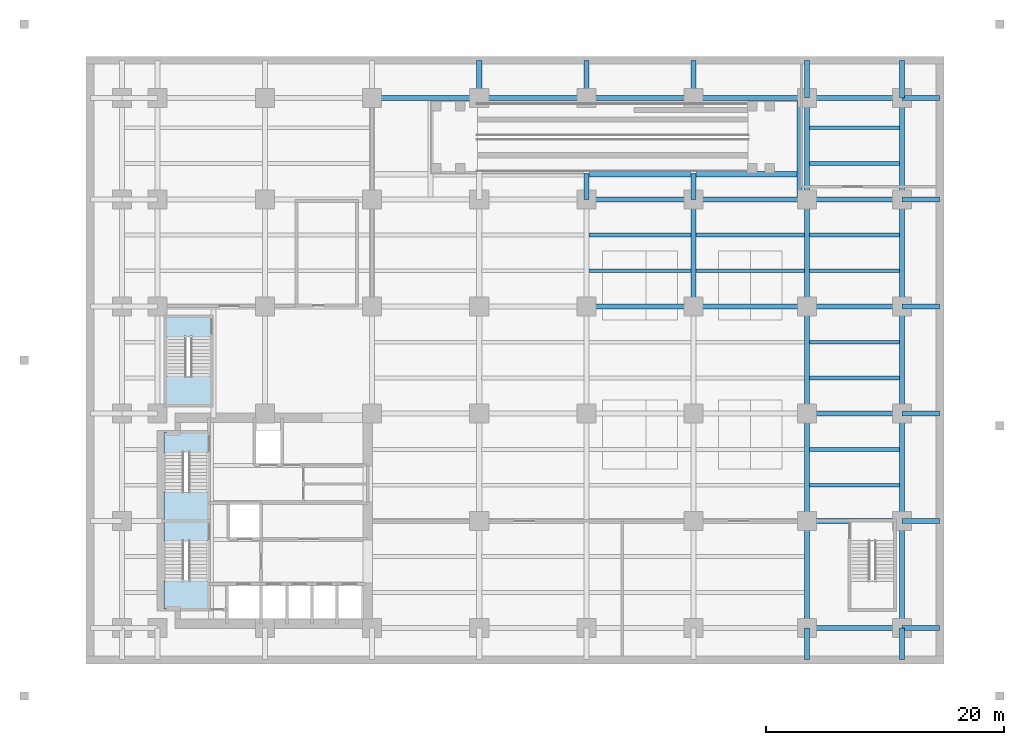
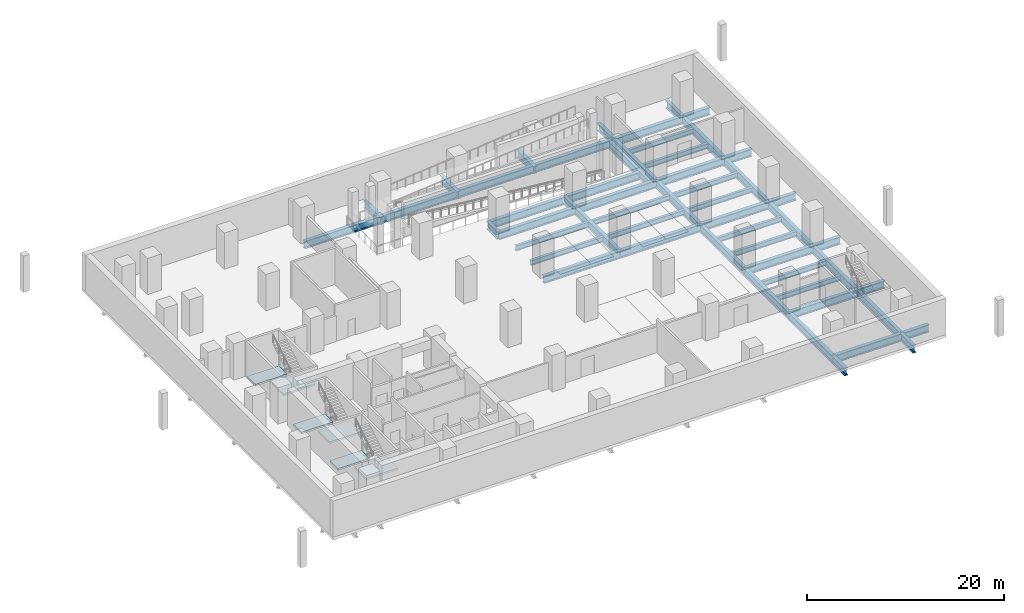
# One storey, part 3 of 10: 55 beams, 6 slabs, 3 elements without a shape of their own.
"""IFC4 building model written with IfcOpenShell, lengths in metres."""

from ifc_helpers import new_model, si_unit, direction, frame, origin, origin_2d, place, context, subcontext, project, spatial, polyline, i_section, outline, extrude, material, layer, layer_set, material_profile, profile_set, type_object, element, aggregate, save


model = new_model("IFC4")

# Units and contexts
model_context = context("Model", 3, precision=1e-05, world=origin(), true_north=direction((0.0, 1.0)))
body_context = subcontext(model_context, "Body", "Model", "MODEL_VIEW")
ifc_project = project(units=[si_unit("LENGTHUNIT", "METRE"), si_unit("AREAUNIT", "SQUARE_METRE"), si_unit("VOLUMEUNIT", "CUBIC_METRE"), si_unit("PLANEANGLEUNIT", "RADIAN"), si_unit("MASSUNIT", "GRAM", prefix="KILO")], contexts=[model_context])

# Site, building, storey
site_placement = place(None, origin())
site = spatial("IfcSite", under=ifc_project, at=site_placement, CompositionType="ELEMENT")
building_placement = place(site_placement, origin())
building = spatial("IfcBuilding", under=site, at=building_placement, Name="Mawjdan Bourse Tower", CompositionType="ELEMENT")
storey_placement = place(building_placement, frame((0.0, 0.0, -9.0)))
storey = spatial("IfcBuildingStorey", under=building, at=storey_placement, Name="B02", CompositionType="ELEMENT", Elevation=-9.0)

# Beams
ifc_material_1 = material(Name="Structural Steel S460", Category="steel")
ifc_material_profile_1 = material_profile(ifc_material_1, i_section(OverallWidth=0.423095703125, OverallDepth=0.93994140625, WebThickness=0.02392578125, FlangeThickness=0.042724609375, FilletRadius=0.0341796875, at=origin_2d()), Name="W36X302")
ifc_profile_set_1 = profile_set([ifc_material_profile_1], Name="Structural Steel S460")
beam_type_1 = type_object("IfcBeamType", Name="GRD-W36X302", PredefinedType="BEAM", material=ifc_profile_set_1)
beam_1_placement = place(storey_placement, frame((42.20947265625, 41.10009765625, -0.820068359375), z_axis=(1.0, 0.0, 0.0), x_axis=(0.0, 1.0, 0.0)))
element("IfcBeam", 1, at=beam_1_placement, inside=storey, type_object=beam_type_1, Name="B02 Ramp Opening South Trimmer S3", PredefinedType="BEAM", context=body_context, shape_type="SweptSolid", body=[
    extrude(i_section(OverallWidth=0.423095703125, OverallDepth=0.93994140625, WebThickness=0.02392578125, FlangeThickness=0.042724609375, FilletRadius=0.0341796875, at=origin_2d()), origin(), (0.0, 0.0, 1.0), 8.5810546875),
])
beam_2_placement = place(storey_placement, frame((51.20947265625, 41.10009765625, -0.820068359375), z_axis=(1.0, 0.0, 0.0), x_axis=(0.0, 1.0, 0.0)))
element("IfcBeam", 2, at=beam_2_placement, inside=storey, type_object=beam_type_1, Name="B02 Ramp Opening South Trimmer S4", PredefinedType="BEAM", context=body_context, shape_type="SweptSolid", body=[
    extrude(i_section(OverallWidth=0.423095703125, OverallDepth=0.93994140625, WebThickness=0.02392578125, FlangeThickness=0.042724609375, FilletRadius=0.0341796875, at=origin_2d()), origin(), (0.0, 0.0, 1.0), 8.4609375),
])
beam_3_placement = place(storey_placement, frame((59.8798828125, 39.20947265625, -0.820068359375), z_axis=(0.0, 1.0, 0.0), x_axis=(-1.0, 0.0, 0.0)))
element("IfcBeam", 3, at=beam_3_placement, inside=storey, type_object=beam_type_1, Name="B02 Ramp Opening East Trimmer 004", PredefinedType="BEAM", context=body_context, shape_type="SweptSolid", body=[
    extrude(i_section(OverallWidth=0.423095703125, OverallDepth=0.93994140625, WebThickness=0.02392578125, FlangeThickness=0.042724609375, FilletRadius=0.0341796875, at=origin_2d()), origin(), (0.0, 0.0, 1.0), 8.0810546875),
])
beam_4_placement = place(storey_placement, frame((33.0, 47.199951171875, -0.820068359375), z_axis=(0.0, 1.0, 0.0), x_axis=(-1.0, 0.0, 0.0)))
element("IfcBeam", 4, at=beam_4_placement, inside=storey, type_object=beam_type_1, Name="B02 Podium Primary Girder 034", PredefinedType="BEAM", context=body_context, shape_type="SweptSolid", body=[
    extrude(i_section(OverallWidth=0.423095703125, OverallDepth=0.93994140625, WebThickness=0.02392578125, FlangeThickness=0.042724609375, FilletRadius=0.0341796875, at=origin_2d()), origin(), (0.0, 0.0, 1.0), 3.449951171875),
])
beam_5_placement = place(storey_placement, frame((42.0, 39.0, -0.820068359375), z_axis=(0.0, 1.0, 0.0), x_axis=(-1.0, 0.0, 0.0)))
element("IfcBeam", 5, at=beam_5_placement, inside=storey, type_object=beam_type_1, Name="B02 Podium Primary Girder 039", PredefinedType="BEAM", context=body_context, shape_type="SweptSolid", body=[
    extrude(i_section(OverallWidth=0.423095703125, OverallDepth=0.93994140625, WebThickness=0.02392578125, FlangeThickness=0.042724609375, FilletRadius=0.0341796875, at=origin_2d()), origin(), (0.0, 0.0, 1.0), 2.199951171875),
])
beam_6_placement = place(storey_placement, frame((42.0, 47.199951171875, -0.820068359375), z_axis=(0.0, 1.0, 0.0), x_axis=(-1.0, 0.0, 0.0)))
element("IfcBeam", 6, at=beam_6_placement, inside=storey, type_object=beam_type_1, Name="B02 Podium Primary Girder 040", PredefinedType="BEAM", context=body_context, shape_type="SweptSolid", body=[
    extrude(i_section(OverallWidth=0.423095703125, OverallDepth=0.93994140625, WebThickness=0.02392578125, FlangeThickness=0.042724609375, FilletRadius=0.0341796875, at=origin_2d()), origin(), (0.0, 0.0, 1.0), 3.449951171875),
])
beam_7_placement = place(storey_placement, frame((51.0, 30.0, -0.820068359375), z_axis=(0.0, 1.0, 0.0), x_axis=(-1.0, 0.0, 0.0)))
element("IfcBeam", 7, at=beam_7_placement, inside=storey, type_object=beam_type_1, Name="B02 Podium Primary Girder 045", PredefinedType="BEAM", context=body_context, shape_type="SweptSolid", body=[
    extrude(i_section(OverallWidth=0.423095703125, OverallDepth=0.93994140625, WebThickness=0.02392578125, FlangeThickness=0.042724609375, FilletRadius=0.0341796875, at=origin_2d()), origin(), (0.0, 0.0, 1.0), 9.0),
])
beam_8_placement = place(storey_placement, frame((51.0, 39.0, -0.820068359375), z_axis=(0.0, 1.0, 0.0), x_axis=(-1.0, 0.0, 0.0)))
element("IfcBeam", 8, at=beam_8_placement, inside=storey, type_object=beam_type_1, Name="B02 Podium Primary Girder 046", PredefinedType="BEAM", context=body_context, shape_type="SweptSolid", body=[
    extrude(i_section(OverallWidth=0.423095703125, OverallDepth=0.93994140625, WebThickness=0.02392578125, FlangeThickness=0.042724609375, FilletRadius=0.0341796875, at=origin_2d()), origin(), (0.0, 0.0, 1.0), 2.199951171875),
])
beam_9_placement = place(storey_placement, frame((51.0, 47.199951171875, -0.820068359375), z_axis=(0.0, 1.0, 0.0), x_axis=(-1.0, 0.0, 0.0)))
element("IfcBeam", 9, at=beam_9_placement, inside=storey, type_object=beam_type_1, Name="B02 Podium Primary Girder 047", PredefinedType="BEAM", context=body_context, shape_type="SweptSolid", body=[
    extrude(i_section(OverallWidth=0.423095703125, OverallDepth=0.93994140625, WebThickness=0.02392578125, FlangeThickness=0.042724609375, FilletRadius=0.0341796875, at=origin_2d()), origin(), (0.0, 0.0, 1.0), 3.449951171875),
])
beam_10_placement = place(storey_placement, frame((60.5, 0.35009765625, -0.820068359375), z_axis=(0.0, 1.0, 0.0), x_axis=(-1.0, 0.0, 0.0)))
element("IfcBeam", 10, at=beam_10_placement, inside=storey, type_object=beam_type_1, Name="B02 Podium Primary Girder 048", PredefinedType="BEAM", context=body_context, shape_type="SweptSolid", body=[
    extrude(i_section(OverallWidth=0.423095703125, OverallDepth=0.93994140625, WebThickness=0.02392578125, FlangeThickness=0.042724609375, FilletRadius=0.0341796875, at=origin_2d()), origin(), (0.0, 0.0, 1.0), 2.64990234375),
])
for number, where, z_axis, x_axis, name in (
    (11, (60.5, 3.0, -0.820068359375), (0.0, 1.0, 0.0), (-1.0, 0.0, 0.0), "B02 Podium Primary Girder 049"),
    (12, (60.5, 12.0, -0.820068359375), (0.0, 1.0, 0.0), (-1.0, 0.0, 0.0), "B02 Podium Primary Girder 050"),
    (13, (60.5, 21.0, -0.820068359375), (0.0, 1.0, 0.0), (-1.0, 0.0, 0.0), "B02 Podium Primary Girder 051"),
    (14, (60.5, 30.0, -0.820068359375), (0.0, 1.0, 0.0), (-1.0, 0.0, 0.0), "B02 Podium Primary Girder 052"),
):
    element("IfcBeam", number, at=place(storey_placement, frame(where, z_axis=z_axis, x_axis=x_axis)), inside=storey, type_object=beam_type_1, Name=name, PredefinedType="BEAM", context=body_context, shape_type="SweptSolid", body=[
        extrude(i_section(OverallWidth=0.423095703125, OverallDepth=0.93994140625, WebThickness=0.02392578125, FlangeThickness=0.042724609375, FilletRadius=0.0341796875, at=origin_2d()), origin(), (0.0, 0.0, 1.0), 9.0),
    ])
beam_11_placement = place(storey_placement, frame((60.5, 39.0, -0.820068359375), z_axis=(0.0, 1.0, 0.0), x_axis=(-1.0, 0.0, 0.0)))
element("IfcBeam", 15, at=beam_11_placement, inside=storey, type_object=beam_type_1, Name="B02 Podium Primary Girder 053", PredefinedType="BEAM", context=body_context, shape_type="SweptSolid", body=[
    extrude(i_section(OverallWidth=0.423095703125, OverallDepth=0.93994140625, WebThickness=0.02392578125, FlangeThickness=0.042724609375, FilletRadius=0.0341796875, at=origin_2d()), origin(), (0.0, 0.0, 1.0), 8.5),
])
beam_12_placement = place(storey_placement, frame((60.5, 47.5, -0.820068359375), z_axis=(0.0, 1.0, 0.0), x_axis=(-1.0, 0.0, 0.0)))
element("IfcBeam", 16, at=beam_12_placement, inside=storey, type_object=beam_type_1, Name="B02 Podium Primary Girder 054", PredefinedType="BEAM", context=body_context, shape_type="SweptSolid", body=[
    extrude(i_section(OverallWidth=0.423095703125, OverallDepth=0.93994140625, WebThickness=0.02392578125, FlangeThickness=0.042724609375, FilletRadius=0.0341796875, at=origin_2d()), origin(), (0.0, 0.0, 1.0), 3.14990234375),
])
beam_13_placement = place(storey_placement, frame((68.5, 0.35009765625, -0.820068359375), z_axis=(0.0, 1.0, 0.0), x_axis=(-1.0, 0.0, 0.0)))
element("IfcBeam", 17, at=beam_13_placement, inside=storey, type_object=beam_type_1, Name="B02 Podium Primary Girder 055", PredefinedType="BEAM", context=body_context, shape_type="SweptSolid", body=[
    extrude(i_section(OverallWidth=0.423095703125, OverallDepth=0.93994140625, WebThickness=0.02392578125, FlangeThickness=0.042724609375, FilletRadius=0.0341796875, at=origin_2d()), origin(), (0.0, 0.0, 1.0), 2.64990234375),
])
for number, where, z_axis, x_axis, name in (
    (18, (68.5, 3.0, -0.820068359375), (0.0, 1.0, 0.0), (-1.0, 0.0, 0.0), "B02 Podium Primary Girder 056"),
    (19, (68.5, 12.0, -0.820068359375), (0.0, 1.0, 0.0), (-1.0, 0.0, 0.0), "B02 Podium Primary Girder 057"),
    (20, (68.5, 21.0, -0.820068359375), (0.0, 1.0, 0.0), (-1.0, 0.0, 0.0), "B02 Podium Primary Girder 058"),
    (21, (68.5, 30.0, -0.820068359375), (0.0, 1.0, 0.0), (-1.0, 0.0, 0.0), "B02 Podium Primary Girder 059"),
):
    element("IfcBeam", number, at=place(storey_placement, frame(where, z_axis=z_axis, x_axis=x_axis)), inside=storey, type_object=beam_type_1, Name=name, PredefinedType="BEAM", context=body_context, shape_type="SweptSolid", body=[
        extrude(i_section(OverallWidth=0.423095703125, OverallDepth=0.93994140625, WebThickness=0.02392578125, FlangeThickness=0.042724609375, FilletRadius=0.0341796875, at=origin_2d()), origin(), (0.0, 0.0, 1.0), 9.0),
    ])
beam_14_placement = place(storey_placement, frame((68.5, 39.0, -0.820068359375), z_axis=(0.0, 1.0, 0.0), x_axis=(-1.0, 0.0, 0.0)))
element("IfcBeam", 22, at=beam_14_placement, inside=storey, type_object=beam_type_1, Name="B02 Podium Primary Girder 060", PredefinedType="BEAM", context=body_context, shape_type="SweptSolid", body=[
    extrude(i_section(OverallWidth=0.423095703125, OverallDepth=0.93994140625, WebThickness=0.02392578125, FlangeThickness=0.042724609375, FilletRadius=0.0341796875, at=origin_2d()), origin(), (0.0, 0.0, 1.0), 8.5),
])
beam_15_placement = place(storey_placement, frame((68.5, 47.5, -0.820068359375), z_axis=(0.0, 1.0, 0.0), x_axis=(-1.0, 0.0, 0.0)))
element("IfcBeam", 23, at=beam_15_placement, inside=storey, type_object=beam_type_1, Name="B02 Podium Primary Girder 061", PredefinedType="BEAM", context=body_context, shape_type="SweptSolid", body=[
    extrude(i_section(OverallWidth=0.423095703125, OverallDepth=0.93994140625, WebThickness=0.02392578125, FlangeThickness=0.042724609375, FilletRadius=0.0341796875, at=origin_2d()), origin(), (0.0, 0.0, 1.0), 3.14990234375),
])
beam_16_placement = place(storey_placement, frame((60.5, 3.0, -0.820068359375), z_axis=(1.0, 0.0, 0.0), x_axis=(0.0, 1.0, 0.0)))
element("IfcBeam", 24, at=beam_16_placement, inside=storey, type_object=beam_type_1, Name="B02 Podium Tie Girder 068", PredefinedType="BEAM", context=body_context, shape_type="SweptSolid", body=[
    extrude(i_section(OverallWidth=0.423095703125, OverallDepth=0.93994140625, WebThickness=0.02392578125, FlangeThickness=0.042724609375, FilletRadius=0.0341796875, at=origin_2d()), origin(), (0.0, 0.0, 1.0), 8.0),
])
beam_17_placement = place(storey_placement, frame((68.5, 3.0, -0.820068359375), z_axis=(1.0, 0.0, 0.0), x_axis=(0.0, 1.0, 0.0)))
element("IfcBeam", 25, at=beam_17_placement, inside=storey, type_object=beam_type_1, Name="B02 Podium Tie Girder 069", PredefinedType="BEAM", context=body_context, shape_type="SweptSolid", body=[
    extrude(i_section(OverallWidth=0.423095703125, OverallDepth=0.93994140625, WebThickness=0.02392578125, FlangeThickness=0.042724609375, FilletRadius=0.0341796875, at=origin_2d()), origin(), (0.0, 0.0, 1.0), 3.14990234375),
])
beam_18_placement = place(storey_placement, frame((60.5, 12.0, -0.820068359375), z_axis=(1.0, 0.0, 0.0), x_axis=(0.0, 1.0, 0.0)))
element("IfcBeam", 26, at=beam_18_placement, inside=storey, type_object=beam_type_1, Name="B02 Podium Tie Girder 075", PredefinedType="BEAM", context=body_context, shape_type="SweptSolid", body=[
    extrude(i_section(OverallWidth=0.423095703125, OverallDepth=0.93994140625, WebThickness=0.02392578125, FlangeThickness=0.042724609375, FilletRadius=0.0341796875, at=origin_2d()), origin(), (0.0, 0.0, 1.0), 8.0),
])
beam_19_placement = place(storey_placement, frame((68.5, 12.0, -0.820068359375), z_axis=(1.0, 0.0, 0.0), x_axis=(0.0, 1.0, 0.0)))
element("IfcBeam", 27, at=beam_19_placement, inside=storey, type_object=beam_type_1, Name="B02 Podium Tie Girder 076", PredefinedType="BEAM", context=body_context, shape_type="SweptSolid", body=[
    extrude(i_section(OverallWidth=0.423095703125, OverallDepth=0.93994140625, WebThickness=0.02392578125, FlangeThickness=0.042724609375, FilletRadius=0.0341796875, at=origin_2d()), origin(), (0.0, 0.0, 1.0), 3.14990234375),
])
beam_20_placement = place(storey_placement, frame((60.5, 21.0, -0.820068359375), z_axis=(1.0, 0.0, 0.0), x_axis=(0.0, 1.0, 0.0)))
element("IfcBeam", 28, at=beam_20_placement, inside=storey, type_object=beam_type_1, Name="B02 Podium Tie Girder 083", PredefinedType="BEAM", context=body_context, shape_type="SweptSolid", body=[
    extrude(i_section(OverallWidth=0.423095703125, OverallDepth=0.93994140625, WebThickness=0.02392578125, FlangeThickness=0.042724609375, FilletRadius=0.0341796875, at=origin_2d()), origin(), (0.0, 0.0, 1.0), 8.0),
])
beam_21_placement = place(storey_placement, frame((68.5, 21.0, -0.820068359375), z_axis=(1.0, 0.0, 0.0), x_axis=(0.0, 1.0, 0.0)))
element("IfcBeam", 29, at=beam_21_placement, inside=storey, type_object=beam_type_1, Name="B02 Podium Tie Girder 084", PredefinedType="BEAM", context=body_context, shape_type="SweptSolid", body=[
    extrude(i_section(OverallWidth=0.423095703125, OverallDepth=0.93994140625, WebThickness=0.02392578125, FlangeThickness=0.042724609375, FilletRadius=0.0341796875, at=origin_2d()), origin(), (0.0, 0.0, 1.0), 3.14990234375),
])
beam_22_placement = place(storey_placement, frame((42.0, 30.0, -0.820068359375), z_axis=(1.0, 0.0, 0.0), x_axis=(0.0, 1.0, 0.0)))
element("IfcBeam", 30, at=beam_22_placement, inside=storey, type_object=beam_type_1, Name="B02 Podium Tie Girder 091", PredefinedType="BEAM", context=body_context, shape_type="SweptSolid", body=[
    extrude(i_section(OverallWidth=0.423095703125, OverallDepth=0.93994140625, WebThickness=0.02392578125, FlangeThickness=0.042724609375, FilletRadius=0.0341796875, at=origin_2d()), origin(), (0.0, 0.0, 1.0), 9.0),
])
beam_23_placement = place(storey_placement, frame((51.0, 30.0, -0.820068359375), z_axis=(1.0, 0.0, 0.0), x_axis=(0.0, 1.0, 0.0)))
element("IfcBeam", 31, at=beam_23_placement, inside=storey, type_object=beam_type_1, Name="B02 Podium Tie Girder 092", PredefinedType="BEAM", context=body_context, shape_type="SweptSolid", body=[
    extrude(i_section(OverallWidth=0.423095703125, OverallDepth=0.93994140625, WebThickness=0.02392578125, FlangeThickness=0.042724609375, FilletRadius=0.0341796875, at=origin_2d()), origin(), (0.0, 0.0, 1.0), 9.5),
])
beam_24_placement = place(storey_placement, frame((60.5, 30.0, -0.820068359375), z_axis=(1.0, 0.0, 0.0), x_axis=(0.0, 1.0, 0.0)))
element("IfcBeam", 32, at=beam_24_placement, inside=storey, type_object=beam_type_1, Name="B02 Podium Tie Girder 093", PredefinedType="BEAM", context=body_context, shape_type="SweptSolid", body=[
    extrude(i_section(OverallWidth=0.423095703125, OverallDepth=0.93994140625, WebThickness=0.02392578125, FlangeThickness=0.042724609375, FilletRadius=0.0341796875, at=origin_2d()), origin(), (0.0, 0.0, 1.0), 8.0),
])
beam_25_placement = place(storey_placement, frame((68.5, 30.0, -0.820068359375), z_axis=(1.0, 0.0, 0.0), x_axis=(0.0, 1.0, 0.0)))
element("IfcBeam", 33, at=beam_25_placement, inside=storey, type_object=beam_type_1, Name="B02 Podium Tie Girder 094", PredefinedType="BEAM", context=body_context, shape_type="SweptSolid", body=[
    extrude(i_section(OverallWidth=0.423095703125, OverallDepth=0.93994140625, WebThickness=0.02392578125, FlangeThickness=0.042724609375, FilletRadius=0.0341796875, at=origin_2d()), origin(), (0.0, 0.0, 1.0), 3.14990234375),
])
beam_26_placement = place(storey_placement, frame((42.0, 39.0, -0.820068359375), z_axis=(1.0, 0.0, 0.0), x_axis=(0.0, 1.0, 0.0)))
element("IfcBeam", 34, at=beam_26_placement, inside=storey, type_object=beam_type_1, Name="B02 Podium Tie Girder 101", PredefinedType="BEAM", context=body_context, shape_type="SweptSolid", body=[
    extrude(i_section(OverallWidth=0.423095703125, OverallDepth=0.93994140625, WebThickness=0.02392578125, FlangeThickness=0.042724609375, FilletRadius=0.0341796875, at=origin_2d()), origin(), (0.0, 0.0, 1.0), 9.0),
])
beam_27_placement = place(storey_placement, frame((51.0, 39.0, -0.820068359375), z_axis=(1.0, 0.0, 0.0), x_axis=(0.0, 1.0, 0.0)))
element("IfcBeam", 35, at=beam_27_placement, inside=storey, type_object=beam_type_1, Name="B02 Podium Tie Girder 102", PredefinedType="BEAM", context=body_context, shape_type="SweptSolid", body=[
    extrude(i_section(OverallWidth=0.423095703125, OverallDepth=0.93994140625, WebThickness=0.02392578125, FlangeThickness=0.042724609375, FilletRadius=0.0341796875, at=origin_2d()), origin(), (0.0, 0.0, 1.0), 9.5),
])
beam_28_placement = place(storey_placement, frame((60.5, 39.0, -0.820068359375), z_axis=(1.0, 0.0, 0.0), x_axis=(0.0, 1.0, 0.0)))
element("IfcBeam", 36, at=beam_28_placement, inside=storey, type_object=beam_type_1, Name="B02 Podium Tie Girder 103", PredefinedType="BEAM", context=body_context, shape_type="SweptSolid", body=[
    extrude(i_section(OverallWidth=0.423095703125, OverallDepth=0.93994140625, WebThickness=0.02392578125, FlangeThickness=0.042724609375, FilletRadius=0.0341796875, at=origin_2d()), origin(), (0.0, 0.0, 1.0), 8.0),
])
beam_29_placement = place(storey_placement, frame((68.5, 39.0, -0.820068359375), z_axis=(1.0, 0.0, 0.0), x_axis=(0.0, 1.0, 0.0)))
element("IfcBeam", 37, at=beam_29_placement, inside=storey, type_object=beam_type_1, Name="B02 Podium Tie Girder 104", PredefinedType="BEAM", context=body_context, shape_type="SweptSolid", body=[
    extrude(i_section(OverallWidth=0.423095703125, OverallDepth=0.93994140625, WebThickness=0.02392578125, FlangeThickness=0.042724609375, FilletRadius=0.0341796875, at=origin_2d()), origin(), (0.0, 0.0, 1.0), 3.14990234375),
])
for number, where, z_axis, x_axis, name in (
    (38, (24.0, 47.5, -0.820068359375), (1.0, 0.0, 0.0), (0.0, 1.0, 0.0), "B02 Podium Tie Girder 109"),
    (39, (33.0, 47.5, -0.820068359375), (1.0, 0.0, 0.0), (0.0, 1.0, 0.0), "B02 Podium Tie Girder 110"),
    (40, (42.0, 47.5, -0.820068359375), (1.0, 0.0, 0.0), (0.0, 1.0, 0.0), "B02 Podium Tie Girder 111"),
):
    element("IfcBeam", number, at=place(storey_placement, frame(where, z_axis=z_axis, x_axis=x_axis)), inside=storey, type_object=beam_type_1, Name=name, PredefinedType="BEAM", context=body_context, shape_type="SweptSolid", body=[
        extrude(i_section(OverallWidth=0.423095703125, OverallDepth=0.93994140625, WebThickness=0.02392578125, FlangeThickness=0.042724609375, FilletRadius=0.0341796875, at=origin_2d()), origin(), (0.0, 0.0, 1.0), 9.0),
    ])
beam_30_placement = place(storey_placement, frame((51.0, 47.5, -0.820068359375), z_axis=(1.0, 0.0, 0.0), x_axis=(0.0, 1.0, 0.0)))
element("IfcBeam", 41, at=beam_30_placement, inside=storey, type_object=beam_type_1, Name="B02 Podium Tie Girder 112", PredefinedType="BEAM", context=body_context, shape_type="SweptSolid", body=[
    extrude(i_section(OverallWidth=0.423095703125, OverallDepth=0.93994140625, WebThickness=0.02392578125, FlangeThickness=0.042724609375, FilletRadius=0.0341796875, at=origin_2d()), origin(), (0.0, 0.0, 1.0), 9.5),
])
beam_31_placement = place(storey_placement, frame((60.5, 47.5, -0.820068359375), z_axis=(1.0, 0.0, 0.0), x_axis=(0.0, 1.0, 0.0)))
element("IfcBeam", 42, at=beam_31_placement, inside=storey, type_object=beam_type_1, Name="B02 Podium Tie Girder 113", PredefinedType="BEAM", context=body_context, shape_type="SweptSolid", body=[
    extrude(i_section(OverallWidth=0.423095703125, OverallDepth=0.93994140625, WebThickness=0.02392578125, FlangeThickness=0.042724609375, FilletRadius=0.0341796875, at=origin_2d()), origin(), (0.0, 0.0, 1.0), 8.0),
])
beam_32_placement = place(storey_placement, frame((68.5, 47.5, -0.820068359375), z_axis=(1.0, 0.0, 0.0), x_axis=(0.0, 1.0, 0.0)))
element("IfcBeam", 43, at=beam_32_placement, inside=storey, type_object=beam_type_1, Name="B02 Podium Tie Girder 114", PredefinedType="BEAM", context=body_context, shape_type="SweptSolid", body=[
    extrude(i_section(OverallWidth=0.423095703125, OverallDepth=0.93994140625, WebThickness=0.02392578125, FlangeThickness=0.042724609375, FilletRadius=0.0341796875, at=origin_2d()), origin(), (0.0, 0.0, 1.0), 3.14990234375),
])
ifc_material_2 = material(Name="Structural Steel S355", Category="steel")
ifc_material_profile_2 = material_profile(ifc_material_2, i_section(OverallWidth=0.324951171875, OverallDepth=0.616943359375, WebThickness=0.013916015625, FlangeThickness=0.021484375, FilletRadius=0.017333984375, at=origin_2d()), Name="W24X117")
ifc_profile_set_2 = profile_set([ifc_material_profile_2], Name="Structural Steel S355")
beam_type_2 = type_object("IfcBeamType", Name="JST-W24X117", PredefinedType="JOIST", material=ifc_profile_set_2)
for number, where, z_axis, x_axis, name in (
    (44, (60.70947265625, 15.0, -0.658447265625), (1.0, 0.0, 0.0), (0.0, 1.0, 0.0), "B02 Composite Floor Joist 130"),
    (45, (60.70947265625, 18.0, -0.658447265625), (1.0, 0.0, 0.0), (0.0, 1.0, 0.0), "B02 Composite Floor Joist 136"),
    (46, (60.70947265625, 24.0, -0.658447265625), (1.0, 0.0, 0.0), (0.0, 1.0, 0.0), "B02 Composite Floor Joist 142"),
    (47, (60.70947265625, 27.0, -0.658447265625), (1.0, 0.0, 0.0), (0.0, 1.0, 0.0), "B02 Composite Floor Joist 148"),
):
    element("IfcBeam", number, at=place(storey_placement, frame(where, z_axis=z_axis, x_axis=x_axis)), inside=storey, type_object=beam_type_2, Name=name, PredefinedType="JOIST", context=body_context, shape_type="SweptSolid", body=[
        extrude(i_section(OverallWidth=0.324951171875, OverallDepth=0.616943359375, WebThickness=0.013916015625, FlangeThickness=0.021484375, FilletRadius=0.017333984375, at=origin_2d()), origin(), (0.0, 0.0, 1.0), 7.5810546875),
    ])
beam_33_placement = place(storey_placement, frame((42.20947265625, 33.0, -0.658447265625), z_axis=(1.0, 0.0, 0.0), x_axis=(0.0, 1.0, 0.0)))
element("IfcBeam", 48, at=beam_33_placement, inside=storey, type_object=beam_type_2, Name="B02 Composite Floor Joist 154", PredefinedType="JOIST", context=body_context, shape_type="SweptSolid", body=[
    extrude(i_section(OverallWidth=0.324951171875, OverallDepth=0.616943359375, WebThickness=0.013916015625, FlangeThickness=0.021484375, FilletRadius=0.017333984375, at=origin_2d()), origin(), (0.0, 0.0, 1.0), 8.5810546875),
])
beam_34_placement = place(storey_placement, frame((51.20947265625, 33.0, -0.658447265625), z_axis=(1.0, 0.0, 0.0), x_axis=(0.0, 1.0, 0.0)))
element("IfcBeam", 49, at=beam_34_placement, inside=storey, type_object=beam_type_2, Name="B02 Composite Floor Joist 155", PredefinedType="JOIST", context=body_context, shape_type="SweptSolid", body=[
    extrude(i_section(OverallWidth=0.324951171875, OverallDepth=0.616943359375, WebThickness=0.013916015625, FlangeThickness=0.021484375, FilletRadius=0.017333984375, at=origin_2d()), origin(), (0.0, 0.0, 1.0), 9.0810546875),
])
beam_35_placement = place(storey_placement, frame((60.70947265625, 33.0, -0.658447265625), z_axis=(1.0, 0.0, 0.0), x_axis=(0.0, 1.0, 0.0)))
element("IfcBeam", 50, at=beam_35_placement, inside=storey, type_object=beam_type_2, Name="B02 Composite Floor Joist 156", PredefinedType="JOIST", context=body_context, shape_type="SweptSolid", body=[
    extrude(i_section(OverallWidth=0.324951171875, OverallDepth=0.616943359375, WebThickness=0.013916015625, FlangeThickness=0.021484375, FilletRadius=0.017333984375, at=origin_2d()), origin(), (0.0, 0.0, 1.0), 7.5810546875),
])
beam_36_placement = place(storey_placement, frame((42.20947265625, 36.0, -0.658447265625), z_axis=(1.0, 0.0, 0.0), x_axis=(0.0, 1.0, 0.0)))
element("IfcBeam", 51, at=beam_36_placement, inside=storey, type_object=beam_type_2, Name="B02 Composite Floor Joist 162", PredefinedType="JOIST", context=body_context, shape_type="SweptSolid", body=[
    extrude(i_section(OverallWidth=0.324951171875, OverallDepth=0.616943359375, WebThickness=0.013916015625, FlangeThickness=0.021484375, FilletRadius=0.017333984375, at=origin_2d()), origin(), (0.0, 0.0, 1.0), 8.5810546875),
])
beam_37_placement = place(storey_placement, frame((51.20947265625, 36.0, -0.658447265625), z_axis=(1.0, 0.0, 0.0), x_axis=(0.0, 1.0, 0.0)))
element("IfcBeam", 52, at=beam_37_placement, inside=storey, type_object=beam_type_2, Name="B02 Composite Floor Joist 163", PredefinedType="JOIST", context=body_context, shape_type="SweptSolid", body=[
    extrude(i_section(OverallWidth=0.324951171875, OverallDepth=0.616943359375, WebThickness=0.013916015625, FlangeThickness=0.021484375, FilletRadius=0.017333984375, at=origin_2d()), origin(), (0.0, 0.0, 1.0), 9.0810546875),
])
for number, where, z_axis, x_axis, name in (
    (53, (60.70947265625, 36.0, -0.658447265625), (1.0, 0.0, 0.0), (0.0, 1.0, 0.0), "B02 Composite Floor Joist 164"),
    (54, (60.70947265625, 42.0, -0.658447265625), (1.0, 0.0, 0.0), (0.0, 1.0, 0.0), "B02 Composite Floor Joist 168"),
    (55, (60.70947265625, 45.0, -0.658447265625), (1.0, 0.0, 0.0), (0.0, 1.0, 0.0), "B02 Composite Floor Joist 172"),
):
    element("IfcBeam", number, at=place(storey_placement, frame(where, z_axis=z_axis, x_axis=x_axis)), inside=storey, type_object=beam_type_2, Name=name, PredefinedType="JOIST", context=body_context, shape_type="SweptSolid", body=[
        extrude(i_section(OverallWidth=0.324951171875, OverallDepth=0.616943359375, WebThickness=0.013916015625, FlangeThickness=0.021484375, FilletRadius=0.017333984375, at=origin_2d()), origin(), (0.0, 0.0, 1.0), 7.5810546875),
    ])

# Stair, slabs
ifc_material_3 = material(Name="Concrete C50/60", Category="concrete")
stair_type = type_object("IfcStairType", Name="STR-CORE-1500", PredefinedType="HALF_TURN_STAIR", material=ifc_material_3)
stair_1_placement = place(storey_placement, origin())
stair_1 = element("IfcStair", 56, at=stair_1_placement, inside=storey, type_object=stair_type, Name="B02 Exit Stair 1 (Core South-West)", PredefinedType="HALF_TURN_STAIR")
ifc_layer = layer(ifc_material_3, 0.22998046875)
ifc_layer_set = layer_set([ifc_layer], Name="Concrete C50/60")
slab_type = type_object("IfcSlabType", Name="SL-LND-230", PredefinedType="LANDING", material=ifc_layer_set)
slab_1_placement = place(storey_placement, frame((0.0, 0.0, -0.22998046875)))
slab_1 = element("IfcSlab", 57, at=slab_1_placement, type_object=slab_type, Name="ST1-B02 landing 1", PredefinedType="LANDING", context=body_context, shape_type="SweptSolid", body=[
    extrude(outline(polyline([(6.5400390625, 10.31005859375), (10.260009765625, 10.31005859375), (10.260009765625, 11.969970703125), (6.5400390625, 11.969970703125), (6.5400390625, 10.31005859375)])), origin(), (0.0, 0.0, 1.0), 0.22998046875),
])
slab_2_placement = place(storey_placement, frame((0.0, 0.0, 2.02001953125)))
slab_2 = element("IfcSlab", 58, at=slab_2_placement, type_object=slab_type, Name="ST1-B02 landing 2", PredefinedType="LANDING", context=body_context, shape_type="SweptSolid", body=[
    extrude(outline(polyline([(6.5400390625, 4.590087890625), (10.260009765625, 4.590087890625), (10.260009765625, 6.969970703125), (6.5400390625, 6.969970703125), (6.5400390625, 4.590087890625)])), origin(), (0.0, 0.0, 1.0), 0.22998046875),
])
aggregate(stair_1, [slab_1, slab_2])

stair_2_placement = place(storey_placement, origin())
stair_2 = element("IfcStair", 59, at=stair_2_placement, inside=storey, type_object=stair_type, Name="B02 Exit Stair 2 (Core North-West)", PredefinedType="HALF_TURN_STAIR")
slab_3_placement = place(storey_placement, frame((0.0, 0.0, -0.22998046875)))
slab_3 = element("IfcSlab", 60, at=slab_3_placement, type_object=slab_type, Name="ST2-B02 landing 1", PredefinedType="LANDING", context=body_context, shape_type="SweptSolid", body=[
    extrude(outline(polyline([(6.5400390625, 17.75), (10.260009765625, 17.75), (10.260009765625, 19.409912109375), (6.5400390625, 19.409912109375), (6.5400390625, 17.75)])), origin(), (0.0, 0.0, 1.0), 0.22998046875),
])
slab_4_placement = place(storey_placement, frame((0.0, 0.0, 2.02001953125)))
slab_4 = element("IfcSlab", 61, at=slab_4_placement, type_object=slab_type, Name="ST2-B02 landing 2", PredefinedType="LANDING", context=body_context, shape_type="SweptSolid", body=[
    extrude(outline(polyline([(6.5400390625, 12.030029296875), (10.260009765625, 12.030029296875), (10.260009765625, 14.409912109375), (6.5400390625, 14.409912109375), (6.5400390625, 12.030029296875)])), origin(), (0.0, 0.0, 1.0), 0.22998046875),
])
aggregate(stair_2, [slab_3, slab_4])

stair_3_placement = place(storey_placement, origin())
stair_3 = element("IfcStair", 62, at=stair_3_placement, inside=storey, type_object=stair_type, Name="B02 Exit Stair 3 (North Wing)", PredefinedType="HALF_TURN_STAIR")
slab_5_placement = place(storey_placement, frame((0.0, 0.0, -0.22998046875)))
slab_5 = element("IfcSlab", 63, at=slab_5_placement, type_object=slab_type, Name="ST3-B02 landing 1", PredefinedType="LANDING", context=body_context, shape_type="SweptSolid", body=[
    extrude(outline(polyline([(6.739990234375, 27.4599609375), (10.4599609375, 27.4599609375), (10.4599609375, 29.1201171875), (6.739990234375, 29.1201171875), (6.739990234375, 27.4599609375)])), origin(), (0.0, 0.0, 1.0), 0.22998046875),
])
slab_6_placement = place(storey_placement, frame((0.0, 0.0, 2.02001953125)))
slab_6 = element("IfcSlab", 64, at=slab_6_placement, type_object=slab_type, Name="ST3-B02 landing 2", PredefinedType="LANDING", context=body_context, shape_type="SweptSolid", body=[
    extrude(outline(polyline([(6.739990234375, 21.739990234375), (10.4599609375, 21.739990234375), (10.4599609375, 24.1201171875), (6.739990234375, 24.1201171875), (6.739990234375, 21.739990234375)])), origin(), (0.0, 0.0, 1.0), 0.22998046875),
])
aggregate(stair_3, [slab_5, slab_6])

save(model, "model.ifc")
